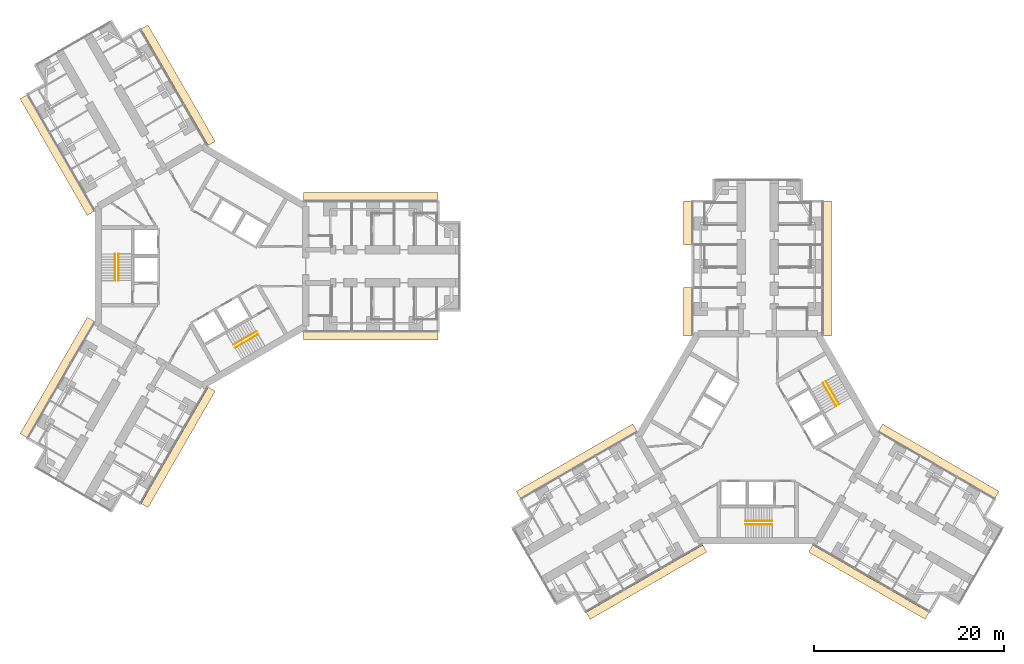
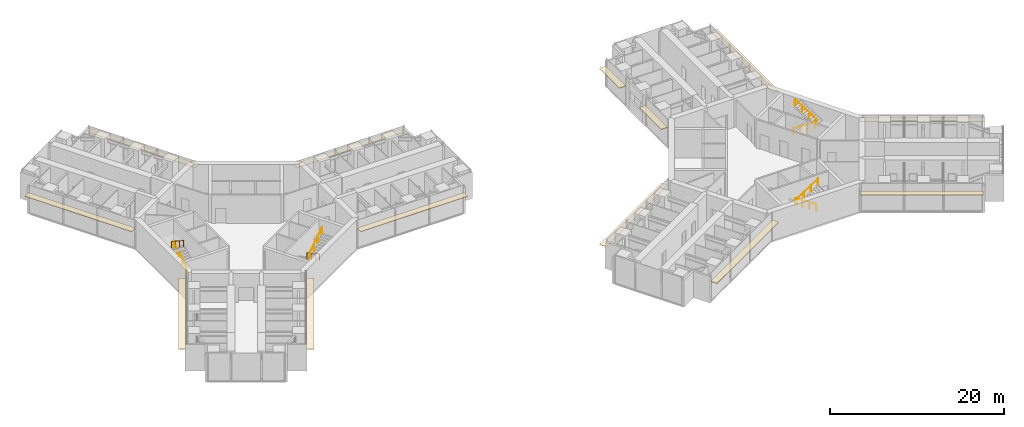
# One storey, part 25 of 25: 13 coverings, 8 railings.
"""IFC4 building model written with IfcOpenShell, lengths in metres."""

from ifc_helpers import new_model, si_unit, direction, frame, origin, origin_2d, place, context, subcontext, project, spatial, rectangle, circle, extrude, material, layer, layer_set, type_object, element, save


model = new_model("IFC4")

# Units and contexts
model_context = context("Model", 3, precision=1e-05, world=origin(), true_north=direction((0.0, 1.0)))
body_context = subcontext(model_context, "Body", "Model", "MODEL_VIEW")
ifc_project = project(units=[si_unit("LENGTHUNIT", "METRE"), si_unit("AREAUNIT", "SQUARE_METRE"), si_unit("VOLUMEUNIT", "CUBIC_METRE"), si_unit("PLANEANGLEUNIT", "RADIAN"), si_unit("MASSUNIT", "GRAM", prefix="KILO")], contexts=[model_context])

# Site, building, storey
site_placement = place(None, origin())
site = spatial("IfcSite", under=ifc_project, at=site_placement, CompositionType="ELEMENT")
building_placement = place(site_placement, origin())
building = spatial("IfcBuilding", under=site, at=building_placement, Name="Upepo Twin Towers", CompositionType="ELEMENT")
storey_placement = place(building_placement, frame((0.0, 0.0, 88.5)))
storey = spatial("IfcBuildingStorey", under=building, at=storey_placement, Name="L21", CompositionType="ELEMENT", Elevation=88.5)

# Coverings
ifc_material_1 = material(Name="Anodised aluminium, pale silver", Category="aluminium")
ifc_layer = layer(ifc_material_1, 0.080078125)
ifc_layer_set = layer_set([ifc_layer], Name="Brise-soleil blade 850 pale aluminium")
covering_type = type_object("IfcCoveringType", Name="Brise-soleil blade 850 pale aluminium", PredefinedType="USERDEFINED", material=ifc_layer_set)
for number, where, z_axis, x_axis, name in (
    (1, (17.7685546875, 7.35498046875, 2.909912109375), (0.0, 0.0, 1.0), (1.0, 0.0, 0.0), "T1 L21 wing A brise-soleil L"),
    (2, (17.7685546875, -7.35498046875, 2.909912109375), (0.0, 0.0, 1.0), (1.0, 0.0, 0.0), "T1 L21 wing A brise-soleil R"),
    (3, (-15.25390625, 11.71044921875, 2.909912109375), (0.0, 0.0, 1.0), (-0.50000003023, 0.866025386331, 0.0), "T1 L21 wing B brise-soleil L"),
    (4, (-2.5146484375, 19.0654296875, 2.909912109375), (0.0, 0.0, 1.0), (-0.50000003023, 0.866025386331, 0.0), "T1 L21 wing B brise-soleil R"),
    (5, (-2.5146484375, -19.0654296875, 2.909912109375), (0.0, 0.0, 1.0), (-0.50000003023, -0.866025386331, 0.0), "T1 L21 wing C brise-soleil L"),
    (6, (-15.25390625, -11.71044921875, 2.909912109375), (0.0, 0.0, 1.0), (-0.50000003023, -0.866025386331, 0.0), "T1 L21 wing C brise-soleil R"),
):
    element("IfcCovering", number, at=place(storey_placement, frame(where, z_axis=z_axis, x_axis=x_axis)), inside=storey, type_object=covering_type, Name=name, ObjectType="SUNSHADE", PredefinedType="USERDEFINED", context=body_context, shape_type="SweptSolid", body=[
        extrude(rectangle(XDim=14.162841796875, YDim=0.85009765625, at=origin_2d()), origin(), (0.0, 0.0, 1.0), 0.080078125),
    ])
covering_1_placement = place(storey_placement, frame((51.125, -4.781494140625, 2.909912109375), z_axis=(0.0, 0.0, 1.0), x_axis=(0.0, 1.0, 0.0)))
element("IfcCovering", 7, at=covering_1_placement, inside=storey, type_object=covering_type, Name="T2 L21 wing A brise-soleil L", ObjectType="SUNSHADE", PredefinedType="USERDEFINED", context=body_context, shape_type="SweptSolid", body=[
    extrude(rectangle(XDim=5.06298828125, YDim=0.85009765625, at=origin_2d()), origin(), (0.0, 0.0, 1.0), 0.080078125),
])
covering_2_placement = place(storey_placement, frame((51.125, 4.550048828125, 2.909912109375), z_axis=(0.0, 0.0, 1.0), x_axis=(0.0, 1.0, 0.0)))
element("IfcCovering", 8, at=covering_2_placement, inside=storey, type_object=covering_type, Name="T2 L21 wing A brise-soleil L 2", ObjectType="SUNSHADE", PredefinedType="USERDEFINED", context=body_context, shape_type="SweptSolid", body=[
    extrude(rectangle(XDim=4.60009765625, YDim=0.85009765625, at=origin_2d()), origin(), (0.0, 0.0, 1.0), 0.080078125),
])
for number, where, z_axis, x_axis, name in (
    (9, (65.85498046875, -0.2314453125, 2.909912109375), (0.0, 0.0, 1.0), (0.0, 1.0, 0.0), "T2 L21 wing A brise-soleil R"),
    (10, (46.78955078125, -33.25390625, 2.909912109375), (0.0, 0.0, 1.0), (-0.866025386331, -0.50000003023, 0.0), "T2 L21 wing B brise-soleil L"),
    (11, (39.4345703125, -20.5146484375, 2.909912109375), (0.0, 0.0, 1.0), (-0.866025386331, -0.50000003023, 0.0), "T2 L21 wing B brise-soleil R"),
    (12, (77.5654296875, -20.5146484375, 2.909912109375), (0.0, 0.0, 1.0), (0.866025386331, -0.50000003023, 0.0), "T2 L21 wing C brise-soleil L"),
    (13, (70.21044921875, -33.25390625, 2.909912109375), (0.0, 0.0, 1.0), (0.866025386331, -0.50000003023, 0.0), "T2 L21 wing C brise-soleil R"),
):
    element("IfcCovering", number, at=place(storey_placement, frame(where, z_axis=z_axis, x_axis=x_axis)), inside=storey, type_object=covering_type, Name=name, ObjectType="SUNSHADE", PredefinedType="USERDEFINED", context=body_context, shape_type="SweptSolid", body=[
        extrude(rectangle(XDim=14.162841796875, YDim=0.85009765625, at=origin_2d()), origin(), (0.0, 0.0, 1.0), 0.080078125),
    ])

# Railings
ifc_material_2 = material(Name="Stainless steel", Category="steel")
railing_type = type_object("IfcRailingType", Name="Stair handrail 900", PredefinedType="HANDRAIL", material=ifc_material_2)
railing_1_placement = place(storey_placement, frame((-8.800048828125, -1.52001953125, 0.181884765625)))
element("IfcRailing", 14, at=railing_1_placement, inside=storey, type_object=railing_type, Name="T1 stair S1 L21 handrail 1", PredefinedType="HANDRAIL", context=body_context, shape_type="SweptSolid", body=[
    extrude(circle(Radius=0.02392578125, at=origin_2d()), frame((0.0, 0.0, 0.8759765625), z_axis=(0.0, 0.838705829183, 0.544584733623), x_axis=(-1.0, 0.0, 0.0)), (0.0, 0.0, 1.0), 3.338623046875),
    extrude(circle(Radius=0.02099609375, at=origin_2d()), origin(), (0.0, 0.0, 1.0), 0.851806640625),
    extrude(circle(Radius=0.02099609375, at=origin_2d()), frame((0.0, 0.933349609375, 0.60595703125)), (0.0, 0.0, 1.0), 0.851806640625),
    extrude(circle(Radius=0.02099609375, at=origin_2d()), frame((0.0, 1.86669921875, 1.212158203125)), (0.0, 0.0, 1.0), 0.851806640625),
    extrude(circle(Radius=0.02099609375, at=origin_2d()), frame((0.0, 2.800048828125, 1.818115234375)), (0.0, 0.0, 1.0), 0.851806640625),
])
railing_2_placement = place(storey_placement, frame((-9.158447265625, 1.280029296875, 2.181884765625)))
element("IfcRailing", 15, at=railing_2_placement, inside=storey, type_object=railing_type, Name="T1 stair S1 L21 handrail 2", PredefinedType="HANDRAIL", context=body_context, shape_type="SweptSolid", body=[
    extrude(circle(Radius=0.02392578125, at=origin_2d()), frame((0.0, 0.0, 0.8759765625), z_axis=(0.0, -0.838705829183, 0.544584733623), x_axis=(1.0, 0.0, 0.0)), (0.0, 0.0, 1.0), 3.338623046875),
    extrude(circle(Radius=0.02099609375, at=origin_2d()), origin(), (0.0, 0.0, 1.0), 0.851806640625),
    extrude(circle(Radius=0.02099609375, at=origin_2d()), frame((0.0, -0.933349609375, 0.60595703125)), (0.0, 0.0, 1.0), 0.851806640625),
    extrude(circle(Radius=0.02099609375, at=origin_2d()), frame((0.0, -1.86669921875, 1.212158203125)), (0.0, 0.0, 1.0), 0.851806640625),
    extrude(circle(Radius=0.02099609375, at=origin_2d()), frame((0.0, -2.800048828125, 1.818115234375)), (0.0, 0.0, 1.0), 0.851806640625),
])
railing_3_placement = place(storey_placement, frame((5.71630859375, -6.861083984375, 0.181884765625)))
element("IfcRailing", 16, at=railing_3_placement, inside=storey, type_object=railing_type, Name="T1 stair S2 L21 handrail 1", PredefinedType="HANDRAIL", context=body_context, shape_type="SweptSolid", body=[
    extrude(circle(Radius=0.02392578125, at=origin_2d()), frame((0.0, 0.0, 0.8759765625), z_axis=(-0.726336304947, -0.419332699614, 0.544605966869), x_axis=(0.49998411664, -0.866034573852, 0.0)), (0.0, 0.0, 1.0), 3.33837890625),
    extrude(circle(Radius=0.02099609375, at=origin_2d()), origin(), (0.0, 0.0, 1.0), 0.851806640625),
    extrude(circle(Radius=0.02099609375, at=origin_2d()), frame((-0.808349609375, -0.466552734375, 0.60595703125)), (0.0, 0.0, 1.0), 0.851806640625),
    extrude(circle(Radius=0.02099609375, at=origin_2d()), frame((-1.616455078125, -0.933349609375, 1.212158203125)), (0.0, 0.0, 1.0), 0.851806640625),
    extrude(circle(Radius=0.02099609375, at=origin_2d()), frame((-2.4248046875, -1.39990234375, 1.818115234375)), (0.0, 0.0, 1.0), 0.851806640625),
])
railing_4_placement = place(storey_placement, frame((3.470703125, -8.5712890625, 2.181884765625)))
element("IfcRailing", 17, at=railing_4_placement, inside=storey, type_object=railing_type, Name="T1 stair S2 L21 handrail 2", PredefinedType="HANDRAIL", context=body_context, shape_type="SweptSolid", body=[
    extrude(circle(Radius=0.02392578125, at=origin_2d()), frame((0.0, 0.0, 0.8759765625), z_axis=(0.726336304947, 0.419332699614, 0.544605966869), x_axis=(-0.49998411664, 0.866034573852, 0.0)), (0.0, 0.0, 1.0), 3.33837890625),
    extrude(circle(Radius=0.02099609375, at=origin_2d()), origin(), (0.0, 0.0, 1.0), 0.851806640625),
    extrude(circle(Radius=0.02099609375, at=origin_2d()), frame((0.808349609375, 0.466552734375, 0.60595703125)), (0.0, 0.0, 1.0), 0.851806640625),
    extrude(circle(Radius=0.02099609375, at=origin_2d()), frame((1.616455078125, 0.933349609375, 1.212158203125)), (0.0, 0.0, 1.0), 0.851806640625),
    extrude(circle(Radius=0.02099609375, at=origin_2d()), frame((2.4248046875, 1.39990234375, 1.818115234375)), (0.0, 0.0, 1.0), 0.851806640625),
])
railing_5_placement = place(storey_placement, frame((60.02001953125, -26.800048828125, 0.181884765625)))
element("IfcRailing", 18, at=railing_5_placement, inside=storey, type_object=railing_type, Name="T2 stair S1 L21 handrail 1", PredefinedType="HANDRAIL", context=body_context, shape_type="SweptSolid", body=[
    extrude(circle(Radius=0.02392578125, at=origin_2d()), frame((0.0, 0.0, 0.8759765625), z_axis=(-0.838705829183, 0.0, 0.544584733623), x_axis=(0.0, -1.0, 0.0)), (0.0, 0.0, 1.0), 3.338623046875),
    extrude(circle(Radius=0.02099609375, at=origin_2d()), origin(), (0.0, 0.0, 1.0), 0.851806640625),
    extrude(circle(Radius=0.02099609375, at=origin_2d()), frame((-0.933349609375, 0.0, 0.60595703125)), (0.0, 0.0, 1.0), 0.851806640625),
    extrude(circle(Radius=0.02099609375, at=origin_2d()), frame((-1.86669921875, 0.0, 1.212158203125)), (0.0, 0.0, 1.0), 0.851806640625),
    extrude(circle(Radius=0.02099609375, at=origin_2d()), frame((-2.800048828125, 0.0, 1.818115234375)), (0.0, 0.0, 1.0), 0.851806640625),
])
railing_6_placement = place(storey_placement, frame((57.219970703125, -27.158447265625, 2.181884765625)))
element("IfcRailing", 19, at=railing_6_placement, inside=storey, type_object=railing_type, Name="T2 stair S1 L21 handrail 2", PredefinedType="HANDRAIL", context=body_context, shape_type="SweptSolid", body=[
    extrude(circle(Radius=0.02392578125, at=origin_2d()), frame((0.0, 0.0, 0.8759765625), z_axis=(0.838705829183, 0.0, 0.544584733623), x_axis=(0.0, 1.0, 0.0)), (0.0, 0.0, 1.0), 3.338623046875),
    extrude(circle(Radius=0.02099609375, at=origin_2d()), origin(), (0.0, 0.0, 1.0), 0.851806640625),
    extrude(circle(Radius=0.02099609375, at=origin_2d()), frame((0.933349609375, 0.0, 0.60595703125)), (0.0, 0.0, 1.0), 0.851806640625),
    extrude(circle(Radius=0.02099609375, at=origin_2d()), frame((1.86669921875, 0.0, 1.212158203125)), (0.0, 0.0, 1.0), 0.851806640625),
    extrude(circle(Radius=0.02099609375, at=origin_2d()), frame((2.800048828125, 0.0, 1.818115234375)), (0.0, 0.0, 1.0), 0.851806640625),
])
railing_7_placement = place(storey_placement, frame((65.361083984375, -12.28369140625, 0.181884765625)))
element("IfcRailing", 20, at=railing_7_placement, inside=storey, type_object=railing_type, Name="T2 stair S2 L21 handrail 1", PredefinedType="HANDRAIL", context=body_context, shape_type="SweptSolid", body=[
    extrude(circle(Radius=0.02392578125, at=origin_2d()), frame((0.0, 0.0, 0.8759765625), z_axis=(0.419332699614, -0.726336304947, 0.544605966869), x_axis=(0.866034573852, 0.49998411664, 0.0)), (0.0, 0.0, 1.0), 3.33837890625),
    extrude(circle(Radius=0.02099609375, at=origin_2d()), origin(), (0.0, 0.0, 1.0), 0.851806640625),
    extrude(circle(Radius=0.02099609375, at=origin_2d()), frame((0.466552734375, -0.808349609375, 0.60595703125)), (0.0, 0.0, 1.0), 0.851806640625),
    extrude(circle(Radius=0.02099609375, at=origin_2d()), frame((0.933349609375, -1.616455078125, 1.212158203125)), (0.0, 0.0, 1.0), 0.851806640625),
    extrude(circle(Radius=0.02099609375, at=origin_2d()), frame((1.39990234375, -2.4248046875, 1.818115234375)), (0.0, 0.0, 1.0), 0.851806640625),
])
railing_8_placement = place(storey_placement, frame((67.0712890625, -14.529296875, 2.181884765625)))
element("IfcRailing", 21, at=railing_8_placement, inside=storey, type_object=railing_type, Name="T2 stair S2 L21 handrail 2", PredefinedType="HANDRAIL", context=body_context, shape_type="SweptSolid", body=[
    extrude(circle(Radius=0.02392578125, at=origin_2d()), frame((0.0, 0.0, 0.8759765625), z_axis=(-0.419332699614, 0.726336304947, 0.544605966869), x_axis=(-0.866034573852, -0.49998411664, 0.0)), (0.0, 0.0, 1.0), 3.33837890625),
    extrude(circle(Radius=0.02099609375, at=origin_2d()), origin(), (0.0, 0.0, 1.0), 0.851806640625),
    extrude(circle(Radius=0.02099609375, at=origin_2d()), frame((-0.466552734375, 0.808349609375, 0.60595703125)), (0.0, 0.0, 1.0), 0.851806640625),
    extrude(circle(Radius=0.02099609375, at=origin_2d()), frame((-0.933349609375, 1.616455078125, 1.212158203125)), (0.0, 0.0, 1.0), 0.851806640625),
    extrude(circle(Radius=0.02099609375, at=origin_2d()), frame((-1.39990234375, 2.4248046875, 1.818115234375)), (0.0, 0.0, 1.0), 0.851806640625),
])

save(model, "model.ifc")
